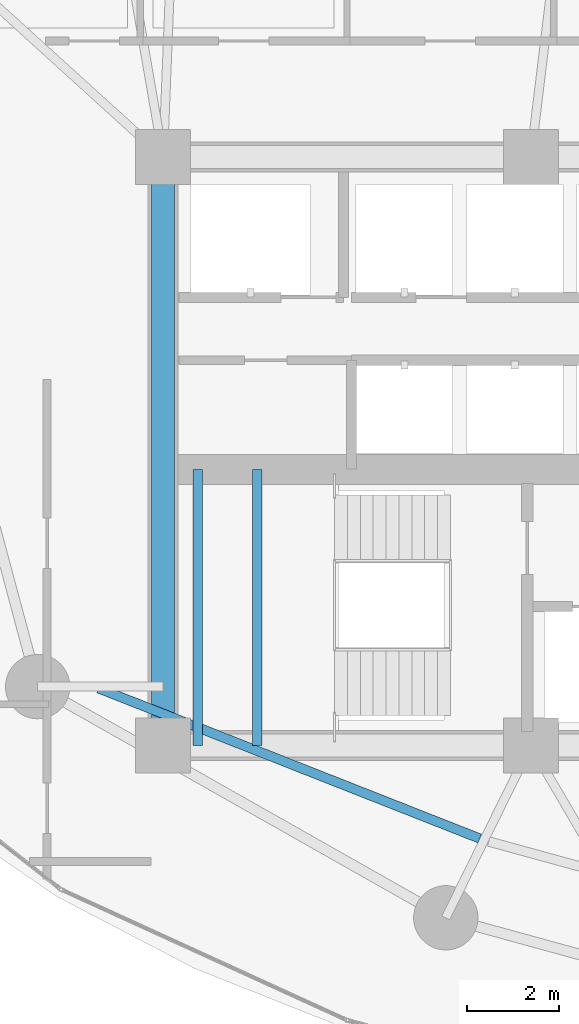
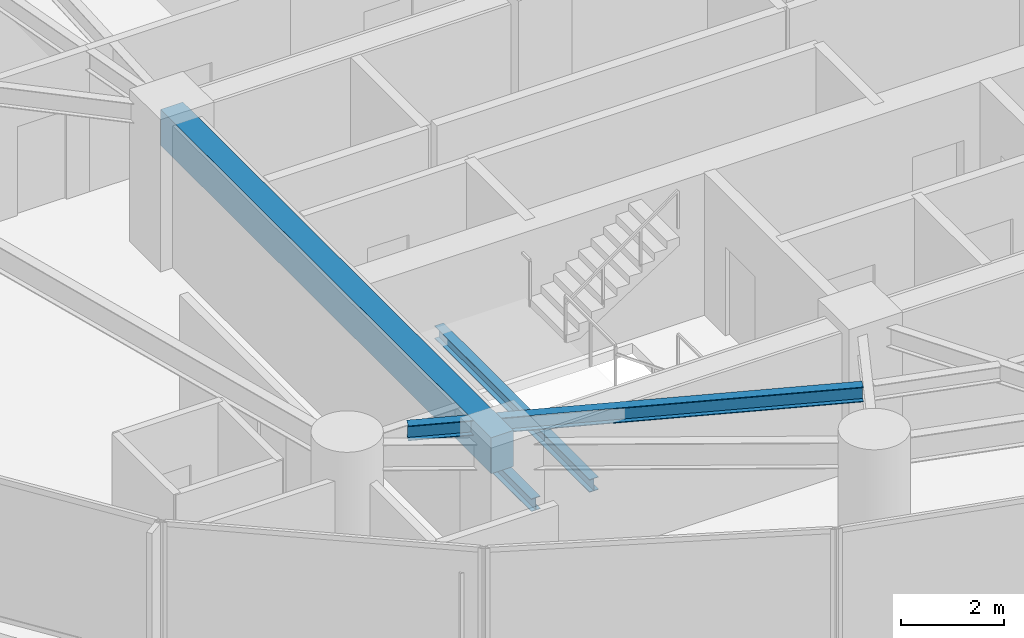
# One storey, part 4 of 33: 4 beams.
"""IFC4 building model written with IfcOpenShell, lengths in metres."""

from ifc_helpers import new_model, si_unit, direction, frame, origin, origin_2d, place, context, subcontext, project, spatial, rectangle, i_section, extrude, material, material_profile, profile_set, type_object, element, save


model = new_model("IFC4")

# Units and contexts
model_context = context("Model", 3, precision=1e-05, world=origin(), true_north=direction((0.0, 1.0)))
body_context = subcontext(model_context, "Body", "Model", "MODEL_VIEW")
ifc_project = project(units=[si_unit("LENGTHUNIT", "METRE"), si_unit("AREAUNIT", "SQUARE_METRE"), si_unit("VOLUMEUNIT", "CUBIC_METRE"), si_unit("PLANEANGLEUNIT", "RADIAN"), si_unit("MASSUNIT", "GRAM", prefix="KILO")], contexts=[model_context])

# Site, building, storey
site_placement = place(None, origin())
site = spatial("IfcSite", under=ifc_project, at=site_placement, CompositionType="ELEMENT")
building_placement = place(site_placement, origin())
building = spatial("IfcBuilding", under=site, at=building_placement, Name="Kazevale Care Tower and Concert Hall", CompositionType="ELEMENT")
storey_placement = place(building_placement, frame((0.0, 0.0, 52.800048828125)))
storey = spatial("IfcBuildingStorey", under=building, at=storey_placement, Name="L13", CompositionType="ELEMENT", Elevation=52.800048828125)

# Beams
ifc_material_1 = material(Name="Concrete C60", Category="concrete")
ifc_material_profile_1 = material_profile(ifc_material_1, rectangle(XDim=0.5, YDim=0.85009765625, at=origin_2d()), Name="RC-B500x850")
ifc_profile_set_1 = profile_set([ifc_material_profile_1], Name="Concrete C60")
beam_type_1 = type_object("IfcBeamType", Name="Core Coupling Beam RC500x850", PredefinedType="LINTEL", material=ifc_profile_set_1)
beam_1_placement = place(storey_placement, frame((22.0, 36.39990234375, 2.93505859375), z_axis=(0.0, -1.0, 0.0), x_axis=(1.0, 0.0, 0.0)))
element("IfcBeam", 1, at=beam_1_placement, inside=storey, type_object=beam_type_1, Name="beam:L13:coretie:8", PredefinedType="LINTEL", context=body_context, shape_type="SweptSolid", body=[
    extrude(rectangle(XDim=0.5, YDim=0.85009765625, at=origin_2d()), origin(), (0.0, 0.0, 1.0), 12.7998046875),
])
ifc_material_2 = material(Name="Steel ASTM A572 Gr 50", Category="steel")
ifc_material_profile_2 = material_profile(ifc_material_2, i_section(OverallWidth=0.205078125, OverallDepth=0.35400390625, WebThickness=0.009521484375, FlangeThickness=0.016845703125, at=origin_2d()), Name="W360x79")
ifc_profile_set_2 = profile_set([ifc_material_profile_2], Name="Steel ASTM A572 Gr 50")
beam_type_2 = type_object("IfcBeamType", Name="Secondary Floor Joist W360x79", PredefinedType="JOIST", material=ifc_profile_set_2)
beam_2_placement = place(storey_placement, frame((20.595947265625, 24.842041015625, 3.182861328125), z_axis=(0.930380638802, -0.366594963062, 0.0), x_axis=(0.366594963062, 0.930380638802, 0.0)))
element("IfcBeam", 2, at=beam_2_placement, inside=storey, type_object=beam_type_2, Name="beam:L13:joist:10", PredefinedType="JOIST", context=body_context, shape_type="SweptSolid", body=[
    extrude(i_section(OverallWidth=0.205078125, OverallDepth=0.35400390625, WebThickness=0.009521484375, FlangeThickness=0.016845703125, at=origin_2d()), origin(), (0.0, 0.0, 1.0), 8.909423828125),
])
ifc_material_profile_3 = material_profile(ifc_material_2, i_section(OverallWidth=0.202880859375, OverallDepth=0.302978515625, WebThickness=0.007568359375, FlangeThickness=0.01318359375, at=origin_2d()), Name="W310x60")
ifc_profile_set_3 = profile_set([ifc_material_profile_3], Name="Steel ASTM A572 Gr 50")
beam_type_3 = type_object("IfcBeamType", Name="Stair & Balcony Trimmer W310x60", PredefinedType="BEAM", material=ifc_profile_set_3)
for number, where, z_axis, x_axis, name in (
    (3, (22.75, 23.60009765625, 1.448486328125), (0.0, 1.0, 0.0), (-1.0, 0.0, 0.0), "beam:L13:sttrim:ST1"),
    (4, (24.050048828125, 23.60009765625, 1.448486328125), (0.0, 1.0, 0.0), (-1.0, 0.0, 0.0), "beam:L13:sttrim:ST1b"),
):
    element("IfcBeam", number, at=place(storey_placement, frame(where, z_axis=z_axis, x_axis=x_axis)), inside=storey, type_object=beam_type_3, Name=name, PredefinedType="BEAM", context=body_context, shape_type="SweptSolid", body=[
        extrude(i_section(OverallWidth=0.202880859375, OverallDepth=0.302978515625, WebThickness=0.007568359375, FlangeThickness=0.01318359375, at=origin_2d()), origin(), (0.0, 0.0, 1.0), 6.0),
    ])

save(model, "model.ifc")
